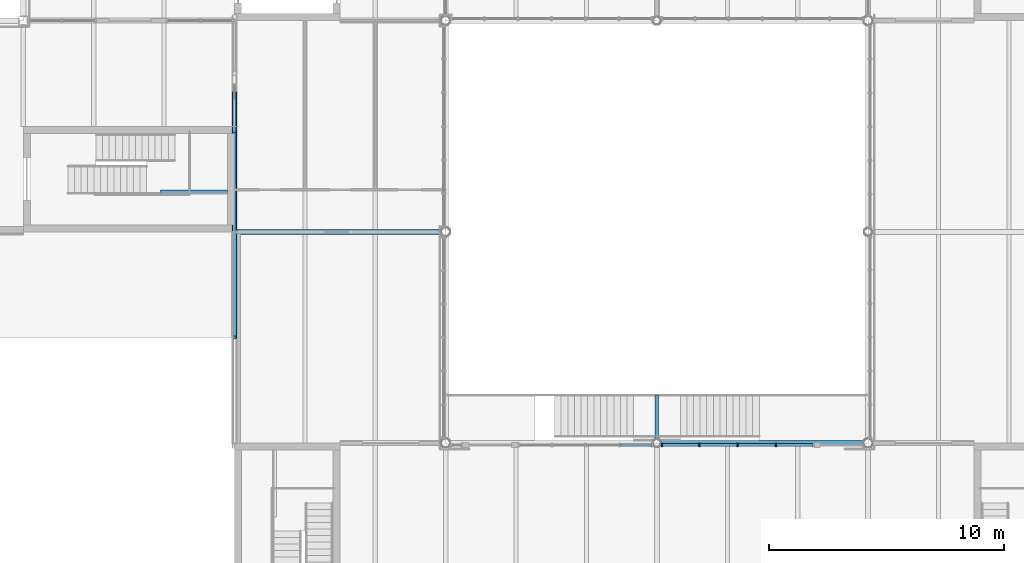
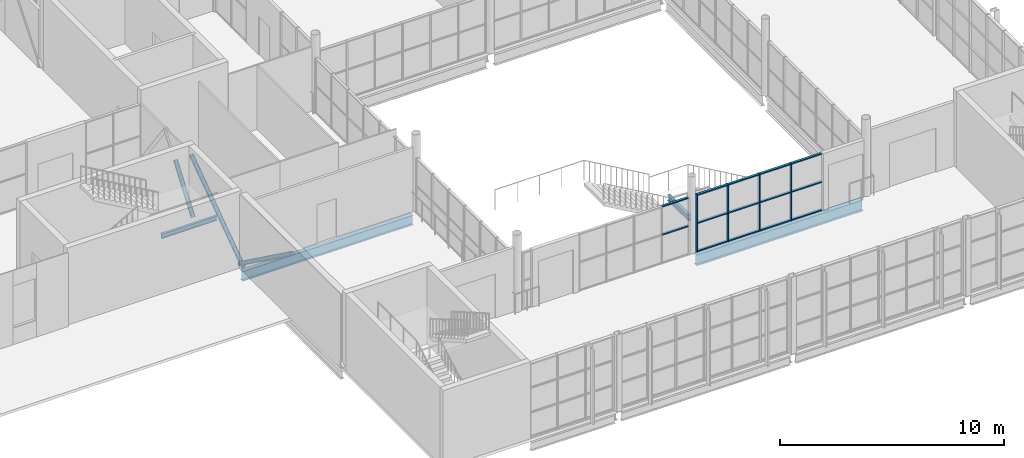
# One storey, part 15 of 57: 21 members, 4 beams, 2 elements without a shape of their own.
"""IFC4 building model written with IfcOpenShell, lengths in metres."""

from ifc_helpers import new_model, si_unit, direction, frame, origin, origin_2d, place, context, subcontext, project, spatial, rectangle, hollow_circle, i_section, extrude, material, layer, layer_set, material_profile, profile_set, type_object, element, aggregate, save


model = new_model("IFC4")

# Units and contexts
model_context = context("Model", 3, precision=1e-05, world=origin(), true_north=direction((0.0, 1.0)))
body_context = subcontext(model_context, "Body", "Model", "MODEL_VIEW")
ifc_project = project(units=[si_unit("LENGTHUNIT", "METRE"), si_unit("AREAUNIT", "SQUARE_METRE"), si_unit("VOLUMEUNIT", "CUBIC_METRE"), si_unit("PLANEANGLEUNIT", "RADIAN"), si_unit("MASSUNIT", "GRAM", prefix="KILO")], contexts=[model_context])

# Site, building, storey
site_placement = place(None, origin())
site = spatial("IfcSite", under=ifc_project, at=site_placement, CompositionType="ELEMENT")
building_placement = place(site_placement, origin())
building = spatial("IfcBuilding", under=site, at=building_placement, Name="Halyard Row Museum", CompositionType="ELEMENT")
storey_placement = place(building_placement, frame((0.0, 0.0, 5.0)))
storey = spatial("IfcBuildingStorey", under=building, at=storey_placement, Name="L01", CompositionType="ELEMENT", Elevation=5.0)

# Members
ifc_material_1 = material(Name="Steel Grade C350L0", Category="steel")
ifc_material_profile_1 = material_profile(ifc_material_1, hollow_circle(Radius=0.109619140625, WallThickness=0.00830078125, at=origin_2d()), Name="219.1x8.2CHS")
ifc_profile_set_1 = profile_set([ifc_material_profile_1], Name="Steel Grade C350L0")
member_type_1 = type_object("IfcMemberType", Name="Brace 219.1x8.2CHS", PredefinedType="BRACE", material=ifc_profile_set_1)
member_1_placement = place(storey_placement, frame((72.0, 18.169921875, 0.109619140625), z_axis=(0.0, -0.809666762565, 0.586889882003), x_axis=(1.0, 0.0, 0.0)))
element("IfcMember", 1, at=member_1_placement, inside=storey, type_object=member_type_1, Name="Brace L01 X72 9-18 B", PredefinedType="BRACE", context=body_context, shape_type="SweptSolid", body=[
    extrude(hollow_circle(Radius=0.109619140625, WallThickness=0.00830078125, at=origin_2d()), origin(), (0.0, 0.0, 1.0), 5.767822265625),
])
member_2_placement = place(storey_placement, frame((72.0, 17.830078125, 0.109619140625), z_axis=(0.0, 0.815943991919, 0.578130955797), x_axis=(-1.0, 0.0, 0.0)))
element("IfcMember", 2, at=member_2_placement, inside=storey, type_object=member_type_1, Name="Brace L01 X72 18-27 A", PredefinedType="BRACE", context=body_context, shape_type="SweptSolid", body=[
    extrude(hollow_circle(Radius=0.109619140625, WallThickness=0.00830078125, at=origin_2d()), origin(), (0.0, 0.0, 1.0), 5.723388671875),
])
member_3_placement = place(storey_placement, frame((72.0, 22.330078125, 0.109619140625), z_axis=(0.0, 0.587431741149, 0.809273717286), x_axis=(-1.0, 0.0, 0.0)))
element("IfcMember", 3, at=member_3_placement, inside=storey, type_object=member_type_1, Name="Brace L01 X72 22.5-27 A", PredefinedType="BRACE", context=body_context, shape_type="SweptSolid", body=[
    extrude(hollow_circle(Radius=0.109619140625, WallThickness=0.00830078125, at=origin_2d()), origin(), (0.0, 0.0, 1.0), 2.6884765625),
])

# Curtain wall, members
ifc_material_2 = material(Name="Fire-resisting laminated glazing", Category="glass")
ifc_layer = layer(ifc_material_2, 0.159912109375)
ifc_layer_set = layer_set([ifc_layer], Name="Fire-resisting laminated glazing")
curtain_wall_type = type_object("IfcCurtainWallType", Name="Curtain wall atrium screen 160 deep", PredefinedType="NOTDEFINED", material=ifc_layer_set)
curtain_wall_1_placement = place(storey_placement, origin())
curtain_wall_1 = element("IfcCurtainWall", 4, at=curtain_wall_1_placement, inside=storey, type_object=curtain_wall_type, Name="Curtain wall CW077", PredefinedType="NOTDEFINED")
ifc_material_3 = material(Name="Powder-coated aluminium section", Category="aluminium")
ifc_material_profile_2 = material_profile(ifc_material_3, rectangle(XDim=0.159912109375, YDim=0.06005859375, at=origin_2d()), Name="160x60 mullion")
ifc_profile_set_2 = profile_set([ifc_material_profile_2], Name="Powder-coated aluminium section")
member_type_2 = type_object("IfcMemberType", Name="Curtain wall mullion CM5 60 x 160", PredefinedType="MULLION", material=ifc_profile_set_2)
member_4_placement = place(storey_placement, frame((90.207763671875, 8.919921875, 0.0), z_axis=(0.0, 0.0, 1.0), x_axis=(0.0, 1.0, 0.0)))
member_4 = element("IfcMember", 5, at=member_4_placement, type_object=member_type_2, Name="CW077 mullion 1", PredefinedType="MULLION", context=body_context, shape_type="SweptSolid", body=[
    extrude(rectangle(XDim=0.159912109375, YDim=0.06005859375, at=origin_2d()), origin(), (0.0, 0.0, 1.0), 3.12451171875),
])
member_5_placement = place(storey_placement, frame((91.808349609375, 8.919921875, 0.0), z_axis=(0.0, 0.0, 1.0), x_axis=(0.0, 1.0, 0.0)))
member_5 = element("IfcMember", 6, at=member_5_placement, type_object=member_type_2, Name="CW077 mullion 2", PredefinedType="MULLION", context=body_context, shape_type="SweptSolid", body=[
    extrude(rectangle(XDim=0.159912109375, YDim=0.06005859375, at=origin_2d()), origin(), (0.0, 0.0, 1.0), 3.12451171875),
])
member_6_placement = place(storey_placement, frame((93.43896484375, 8.919921875, 0.0), z_axis=(0.0, 0.0, 1.0), x_axis=(0.0, 1.0, 0.0)))
member_6 = element("IfcMember", 7, at=member_6_placement, type_object=member_type_2, Name="CW077 mullion 3", PredefinedType="MULLION", context=body_context, shape_type="SweptSolid", body=[
    extrude(rectangle(XDim=0.159912109375, YDim=0.06005859375, at=origin_2d()), origin(), (0.0, 0.0, 1.0), 3.12451171875),
])
member_7_placement = place(storey_placement, frame((95.0693359375, 8.919921875, 0.0), z_axis=(0.0, 0.0, 1.0), x_axis=(0.0, 1.0, 0.0)))
member_7 = element("IfcMember", 8, at=member_7_placement, type_object=member_type_2, Name="CW077 mullion 4", PredefinedType="MULLION", context=body_context, shape_type="SweptSolid", body=[
    extrude(rectangle(XDim=0.159912109375, YDim=0.06005859375, at=origin_2d()), origin(), (0.0, 0.0, 1.0), 3.12451171875),
])

curtain_wall_2_placement = place(storey_placement, origin())
curtain_wall_2 = element("IfcCurtainWall", 9, at=curtain_wall_2_placement, inside=storey, type_object=curtain_wall_type, Name="Curtain wall CW076", PredefinedType="NOTDEFINED")
ifc_material_4 = material(Name="Powder-coated aluminium section", Category="aluminium")
ifc_material_profile_3 = material_profile(ifc_material_4, rectangle(XDim=0.1201171875, YDim=0.06005859375, at=origin_2d()), Name="120x60 transom")
ifc_profile_set_3 = profile_set([ifc_material_profile_3], Name="Powder-coated aluminium section")
member_type_3 = type_object("IfcMemberType", Name="Curtain wall transom CT5 60 x 120", PredefinedType="USERDEFINED", material=ifc_profile_set_3)
member_8_placement = place(storey_placement, frame((88.421630859375, 8.919921875, 1.562255859375), z_axis=(1.0, 0.0, 0.0), x_axis=(0.0, 1.0, 0.0)))
member_8 = element("IfcMember", 10, at=member_8_placement, type_object=member_type_3, Name="CW076 transom 4.2", ObjectType="TRANSOM", PredefinedType="USERDEFINED", context=body_context, shape_type="SweptSolid", body=[
    extrude(rectangle(XDim=0.1201171875, YDim=0.06005859375, at=origin_2d()), origin(), (0.0, 0.0, 1.0), 1.340576171875),
])
member_9_placement = place(storey_placement, frame((88.421630859375, 8.919921875, 3.094482421875), z_axis=(1.0, 0.0, 0.0), x_axis=(0.0, 1.0, 0.0)))
member_9 = element("IfcMember", 11, at=member_9_placement, type_object=member_type_3, Name="CW076 transom 4.3", ObjectType="TRANSOM", PredefinedType="USERDEFINED", context=body_context, shape_type="SweptSolid", body=[
    extrude(rectangle(XDim=0.1201171875, YDim=0.06005859375, at=origin_2d()), origin(), (0.0, 0.0, 1.0), 1.340576171875),
])
aggregate(curtain_wall_2, [member_8, member_9])

# Member
member_10_placement = place(storey_placement, frame((90.23779296875, 8.919921875, 0.030029296875), z_axis=(1.0, 0.0, 0.0), x_axis=(0.0, 1.0, 0.0)))
member_10 = element("IfcMember", 12, at=member_10_placement, type_object=member_type_3, Name="CW077 transom 1.1", ObjectType="TRANSOM", PredefinedType="USERDEFINED", context=body_context, shape_type="SweptSolid", body=[
    extrude(rectangle(XDim=0.1201171875, YDim=0.06005859375, at=origin_2d()), origin(), (0.0, 0.0, 1.0), 1.54052734375),
])

member_11_placement = place(storey_placement, frame((90.23779296875, 8.919921875, 1.562255859375), z_axis=(1.0, 0.0, 0.0), x_axis=(0.0, 1.0, 0.0)))
member_11 = element("IfcMember", 13, at=member_11_placement, type_object=member_type_3, Name="CW077 transom 1.2", ObjectType="TRANSOM", PredefinedType="USERDEFINED", context=body_context, shape_type="SweptSolid", body=[
    extrude(rectangle(XDim=0.1201171875, YDim=0.06005859375, at=origin_2d()), origin(), (0.0, 0.0, 1.0), 1.54052734375),
])

member_12_placement = place(storey_placement, frame((90.23779296875, 8.919921875, 3.094482421875), z_axis=(1.0, 0.0, 0.0), x_axis=(0.0, 1.0, 0.0)))
member_12 = element("IfcMember", 14, at=member_12_placement, type_object=member_type_3, Name="CW077 transom 1.3", ObjectType="TRANSOM", PredefinedType="USERDEFINED", context=body_context, shape_type="SweptSolid", body=[
    extrude(rectangle(XDim=0.1201171875, YDim=0.06005859375, at=origin_2d()), origin(), (0.0, 0.0, 1.0), 1.54052734375),
])

member_13_placement = place(storey_placement, frame((91.83837890625, 8.919921875, 0.030029296875), z_axis=(1.0, 0.0, 0.0), x_axis=(0.0, 1.0, 0.0)))
member_13 = element("IfcMember", 15, at=member_13_placement, type_object=member_type_3, Name="CW077 transom 2.1", ObjectType="TRANSOM", PredefinedType="USERDEFINED", context=body_context, shape_type="SweptSolid", body=[
    extrude(rectangle(XDim=0.1201171875, YDim=0.06005859375, at=origin_2d()), origin(), (0.0, 0.0, 1.0), 1.570556640625),
])

member_14_placement = place(storey_placement, frame((91.83837890625, 8.919921875, 1.562255859375), z_axis=(1.0, 0.0, 0.0), x_axis=(0.0, 1.0, 0.0)))
member_14 = element("IfcMember", 16, at=member_14_placement, type_object=member_type_3, Name="CW077 transom 2.2", ObjectType="TRANSOM", PredefinedType="USERDEFINED", context=body_context, shape_type="SweptSolid", body=[
    extrude(rectangle(XDim=0.1201171875, YDim=0.06005859375, at=origin_2d()), origin(), (0.0, 0.0, 1.0), 1.570556640625),
])

member_15_placement = place(storey_placement, frame((91.83837890625, 8.919921875, 3.094482421875), z_axis=(1.0, 0.0, 0.0), x_axis=(0.0, 1.0, 0.0)))
member_15 = element("IfcMember", 17, at=member_15_placement, type_object=member_type_3, Name="CW077 transom 2.3", ObjectType="TRANSOM", PredefinedType="USERDEFINED", context=body_context, shape_type="SweptSolid", body=[
    extrude(rectangle(XDim=0.1201171875, YDim=0.06005859375, at=origin_2d()), origin(), (0.0, 0.0, 1.0), 1.570556640625),
])

member_16_placement = place(storey_placement, frame((93.468994140625, 8.919921875, 0.030029296875), z_axis=(1.0, 0.0, 0.0), x_axis=(0.0, 1.0, 0.0)))
member_16 = element("IfcMember", 18, at=member_16_placement, type_object=member_type_3, Name="CW077 transom 3.1", ObjectType="TRANSOM", PredefinedType="USERDEFINED", context=body_context, shape_type="SweptSolid", body=[
    extrude(rectangle(XDim=0.1201171875, YDim=0.06005859375, at=origin_2d()), origin(), (0.0, 0.0, 1.0), 1.570556640625),
])

member_17_placement = place(storey_placement, frame((93.468994140625, 8.919921875, 1.562255859375), z_axis=(1.0, 0.0, 0.0), x_axis=(0.0, 1.0, 0.0)))
member_17 = element("IfcMember", 19, at=member_17_placement, type_object=member_type_3, Name="CW077 transom 3.2", ObjectType="TRANSOM", PredefinedType="USERDEFINED", context=body_context, shape_type="SweptSolid", body=[
    extrude(rectangle(XDim=0.1201171875, YDim=0.06005859375, at=origin_2d()), origin(), (0.0, 0.0, 1.0), 1.570556640625),
])

member_18_placement = place(storey_placement, frame((93.468994140625, 8.919921875, 3.094482421875), z_axis=(1.0, 0.0, 0.0), x_axis=(0.0, 1.0, 0.0)))
member_18 = element("IfcMember", 20, at=member_18_placement, type_object=member_type_3, Name="CW077 transom 3.3", ObjectType="TRANSOM", PredefinedType="USERDEFINED", context=body_context, shape_type="SweptSolid", body=[
    extrude(rectangle(XDim=0.1201171875, YDim=0.06005859375, at=origin_2d()), origin(), (0.0, 0.0, 1.0), 1.570556640625),
])

member_19_placement = place(storey_placement, frame((95.099365234375, 8.919921875, 0.030029296875), z_axis=(1.0, 0.0, 0.0), x_axis=(0.0, 1.0, 0.0)))
member_19 = element("IfcMember", 21, at=member_19_placement, type_object=member_type_3, Name="CW077 transom 4.1", ObjectType="TRANSOM", PredefinedType="USERDEFINED", context=body_context, shape_type="SweptSolid", body=[
    extrude(rectangle(XDim=0.1201171875, YDim=0.06005859375, at=origin_2d()), origin(), (0.0, 0.0, 1.0), 1.54052734375),
])

member_20_placement = place(storey_placement, frame((95.099365234375, 8.919921875, 1.562255859375), z_axis=(1.0, 0.0, 0.0), x_axis=(0.0, 1.0, 0.0)))
member_20 = element("IfcMember", 22, at=member_20_placement, type_object=member_type_3, Name="CW077 transom 4.2", ObjectType="TRANSOM", PredefinedType="USERDEFINED", context=body_context, shape_type="SweptSolid", body=[
    extrude(rectangle(XDim=0.1201171875, YDim=0.06005859375, at=origin_2d()), origin(), (0.0, 0.0, 1.0), 1.54052734375),
])

member_21_placement = place(storey_placement, frame((95.099365234375, 8.919921875, 3.094482421875), z_axis=(1.0, 0.0, 0.0), x_axis=(0.0, 1.0, 0.0)))
member_21 = element("IfcMember", 23, at=member_21_placement, type_object=member_type_3, Name="CW077 transom 4.3", ObjectType="TRANSOM", PredefinedType="USERDEFINED", context=body_context, shape_type="SweptSolid", body=[
    extrude(rectangle(XDim=0.1201171875, YDim=0.06005859375, at=origin_2d()), origin(), (0.0, 0.0, 1.0), 1.54052734375),
])

aggregate(curtain_wall_1, [member_4, member_5, member_6, member_7, member_10, member_11, member_12, member_13, member_14, member_15, member_16, member_17, member_18, member_19, member_20, member_21])

# Beams
ifc_material_5 = material(Name="Steel Grade 300", Category="steel")
ifc_material_profile_4 = material_profile(ifc_material_5, i_section(OverallWidth=0.208984375, OverallDepth=0.532958984375, WebThickness=0.01025390625, FlangeThickness=0.015625, FilletRadius=0.013916015625, at=origin_2d()), Name="530UB92.4")
ifc_profile_set_4 = profile_set([ifc_material_profile_4], Name="Steel Grade 300")
beam_type_1 = type_object("IfcBeamType", Name="Girder beam 530UB92.4", PredefinedType="BEAM", material=ifc_profile_set_4)
beam_1_placement = place(storey_placement, frame((72.0, 18.0, -0.431396484375), z_axis=(1.0, 0.0, 0.0), x_axis=(0.0, 1.0, 0.0)))
element("IfcBeam", 24, at=beam_1_placement, inside=storey, type_object=beam_type_1, Name="Beam L01-015", PredefinedType="BEAM", context=body_context, shape_type="SweptSolid", body=[
    extrude(i_section(OverallWidth=0.208984375, OverallDepth=0.532958984375, WebThickness=0.01025390625, FlangeThickness=0.015625, FilletRadius=0.013916015625, at=origin_2d()), origin(), (0.0, 0.0, 1.0), 8.796875),
])
ifc_material_6 = material(Name="Steel Grade 300", Category="steel")
ifc_material_profile_5 = material_profile(ifc_material_6, i_section(OverallWidth=0.14892578125, OverallDepth=0.298095703125, WebThickness=0.005615234375, FlangeThickness=0.008056640625, FilletRadius=0.012939453125, at=origin_2d()), Name="310UB32.0")
ifc_profile_set_5 = profile_set([ifc_material_profile_5], Name="Steel Grade 300")
beam_type_2 = type_object("IfcBeamType", Name="Landing bracket 310UB32.0", PredefinedType="BEAM", material=ifc_profile_set_5)
beam_2_placement = place(storey_placement, frame((90.0, 9.1748046875, 1.7509765625), z_axis=(0.0, 1.0, 0.0), x_axis=(-1.0, 0.0, 0.0)))
element("IfcBeam", 25, at=beam_2_placement, inside=storey, type_object=beam_type_2, Name="Feature stair landing bracket L01", PredefinedType="BEAM", context=body_context, shape_type="SweptSolid", body=[
    extrude(i_section(OverallWidth=0.14892578125, OverallDepth=0.298095703125, WebThickness=0.005615234375, FlangeThickness=0.008056640625, FilletRadius=0.012939453125, at=origin_2d()), origin(), (0.0, 0.0, 1.0), 1.875244140625),
])
ifc_material_7 = material(Name="Steel Grade 300", Category="steel")
ifc_material_profile_6 = material_profile(ifc_material_7, i_section(OverallWidth=0.1240234375, OverallDepth=0.248046875, WebThickness=0.0048828125, FlangeThickness=0.008056640625, FilletRadius=0.011962890625, at=origin_2d()), Name="250UB25.7")
ifc_profile_set_6 = profile_set([ifc_material_profile_6], Name="Steel Grade 300")
beam_type_3 = type_object("IfcBeamType", Name="Landing trimmer 250UB25.7", PredefinedType="BEAM", material=ifc_profile_set_6)
beam_3_placement = place(storey_placement, frame((71.702880859375, 19.721923828125, 1.77587890625), z_axis=(-1.0, 0.0, 0.0), x_axis=(0.0, -1.0, 0.0)))
element("IfcBeam", 26, at=beam_3_placement, inside=storey, type_object=beam_type_3, Name="Landing ledger K1C L01 1", PredefinedType="BEAM", context=body_context, shape_type="SweptSolid", body=[
    extrude(i_section(OverallWidth=0.1240234375, OverallDepth=0.248046875, WebThickness=0.0048828125, FlangeThickness=0.008056640625, FilletRadius=0.011962890625, at=origin_2d()), origin(), (0.0, 0.0, 1.0), 2.852783203125),
])
ifc_material_8 = material(Name="Steel Grade 300", Category="steel")
ifc_material_profile_7 = material_profile(ifc_material_8, i_section(OverallWidth=0.22802734375, OverallDepth=0.60693359375, WebThickness=0.01123046875, FlangeThickness=0.017333984375, FilletRadius=0.013916015625, at=origin_2d()), Name="610UB113")
ifc_profile_set_7 = profile_set([ifc_material_profile_7], Name="Steel Grade 300")
beam_type_4 = type_object("IfcBeamType", Name="Void edge beam 610UB113", PredefinedType="BEAM", material=ifc_profile_set_7)
beam_4_placement = place(storey_placement, frame((90.203125, 9.0, -0.468505859375), z_axis=(1.0, 0.0, 0.0), x_axis=(0.0, 1.0, 0.0)))
element("IfcBeam", 27, at=beam_4_placement, inside=storey, type_object=beam_type_4, Name="Beam L01-009", PredefinedType="BEAM", context=body_context, shape_type="SweptSolid", body=[
    extrude(i_section(OverallWidth=0.22802734375, OverallDepth=0.60693359375, WebThickness=0.01123046875, FlangeThickness=0.017333984375, FilletRadius=0.013916015625, at=origin_2d()), origin(), (0.0, 0.0, 1.0), 8.59375),
])

save(model, "model.ifc")
